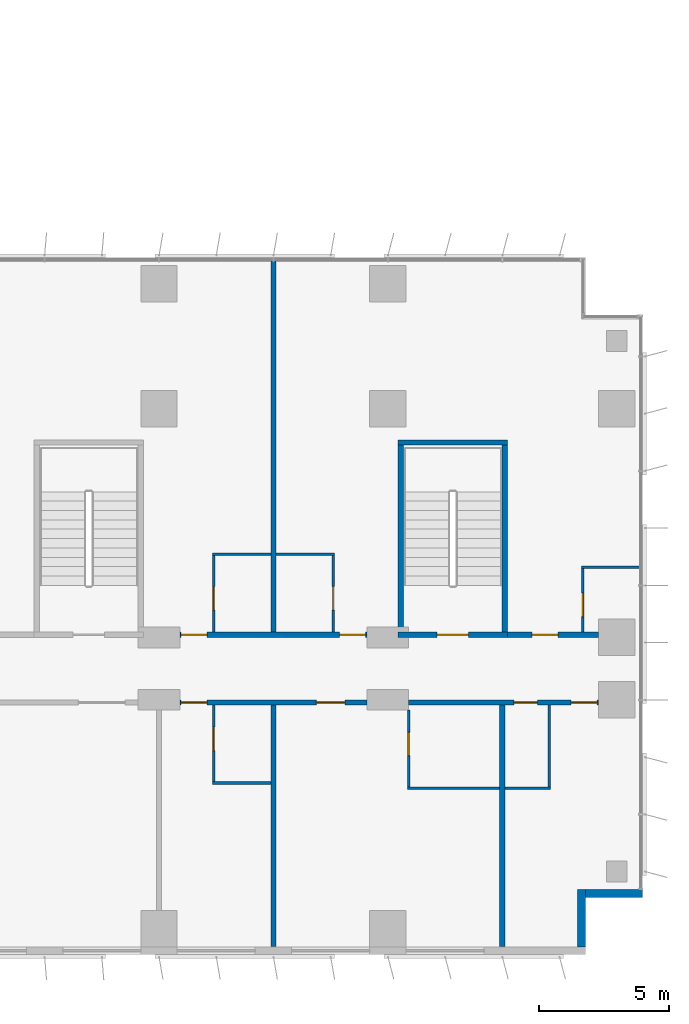
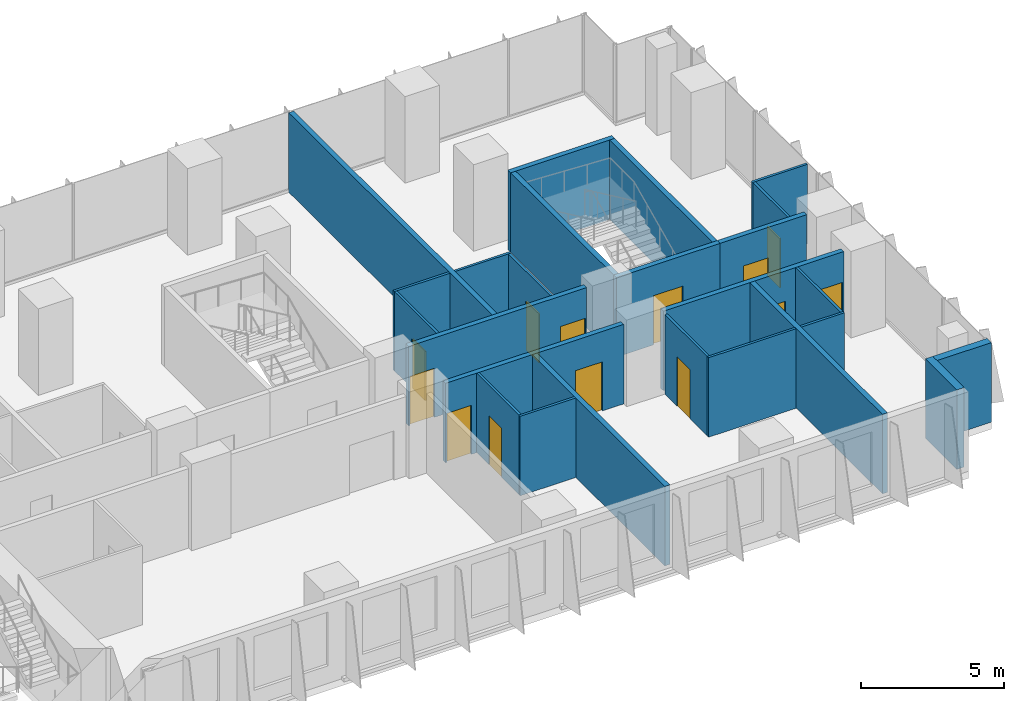
# One storey, part 18 of 24: 25 walls, 13 doors, 13 openings.
"""IFC4 building model written with IfcOpenShell, lengths in metres."""

from ifc_helpers import new_model, si_unit, direction, frame, frame_2d, origin, place, context, subcontext, project, spatial, rectangle, extrude, material, layer, layer_set, type_object, element, fill, save


model = new_model("IFC4")

# Units and contexts
model_context = context("Model", 3, precision=1e-05, world=origin(), true_north=direction((0.0, 1.0)))
body_context = subcontext(model_context, "Body", "Model", "MODEL_VIEW")
ifc_project = project(units=[si_unit("LENGTHUNIT", "METRE"), si_unit("AREAUNIT", "SQUARE_METRE"), si_unit("VOLUMEUNIT", "CUBIC_METRE"), si_unit("PLANEANGLEUNIT", "RADIAN"), si_unit("MASSUNIT", "GRAM", prefix="KILO")], contexts=[model_context])

# Site, building, storey
site_placement = place(None, origin())
site = spatial("IfcSite", under=ifc_project, at=site_placement, CompositionType="ELEMENT")
building_placement = place(site_placement, origin())
building = spatial("IfcBuilding", under=site, at=building_placement, Name="Kemantara Hotel Tower", CompositionType="ELEMENT")
storey_placement = place(building_placement, frame((0.0, 0.0, 63.60009765625)))
storey = spatial("IfcBuildingStorey", under=building, at=storey_placement, Name="L14", CompositionType="ELEMENT", Elevation=63.60009765625)

# Walls
ifc_material_1 = material(Name="Bronze anodised aluminium cladding on insulated steel stud wall", Category="steel")
ifc_layer_1 = layer(ifc_material_1, 0.300048828125)
ifc_layer_set_1 = layer_set([ifc_layer_1], Name="Bronze anodised aluminium cladding on insulated steel stud wall")
wall_type_1 = type_object("IfcWallType", Name="BRONZE METAL-CLAD EXTERNAL WALL 300", PredefinedType="STANDARD", material=ifc_layer_set_1)
for number, where, z_axis, x_axis, name in (
    (1, (78.85009765625, 0.300048828125, 0.0), (0.0, 0.0, 1.0), (0.0, 1.0, 0.0), "EXTERNAL WALL L14 T1-R02"),
    (2, (79.0, 2.35009765625, 0.0), (0.0, 0.0, 1.0), (1.0, 0.0, 0.0), "EXTERNAL WALL L14 T1-R03"),
):
    element("IfcWall", number, at=place(storey_placement, frame(where, z_axis=z_axis, x_axis=x_axis)), inside=storey, type_object=wall_type_1, Name=name, PredefinedType="STANDARD", context=body_context, shape_type="SweptSolid", body=[
        extrude(rectangle(XDim=2.199951171875, YDim=0.300048828125, at=frame_2d((1.10009765625, 0.0))), origin(), (0.0, 0.0, 1.0), 3.39990234375),
    ])

# Wall, openings, doors
ifc_material_2 = material(Name="Gypsum board partition, steel studs and mineral wool, 200 mm", Category="steel")
ifc_layer_2 = layer(ifc_material_2, 0.199951171875)
ifc_layer_set_2 = layer_set([ifc_layer_2], Name="Gypsum board partition, steel studs and mineral wool, 200 mm")
wall_type_2 = type_object("IfcWallType", Name="CORRIDOR WALL 200", PredefinedType="PARTITIONING", material=ifc_layer_set_2)
wall_1_placement = place(storey_placement, frame((70.599853515625, 9.699951171875, 0.0), z_axis=(0.0, 0.0, 1.0), x_axis=(-1.0, 0.0, 0.0)))
wall_1 = element("IfcWall", 3, at=wall_1_placement, inside=storey, type_object=wall_type_2, Name="CORRIDOR WALL 200 003", PredefinedType="PARTITIONING", context=body_context, shape_type="SweptSolid", body=[
    extrude(rectangle(XDim=7.19970703125, YDim=0.199951171875, at=frame_2d((3.599853515625, 0.0))), origin(), (0.0, 0.0, 1.0), 3.39990234375),
])
opening_1_placement = place(wall_1_placement, frame((6.14990234375, 0.0, 0.0)))
opening_1 = element("IfcOpeningElement", 4, at=opening_1_placement, cuts=wall_1, Name="Opening F05-003", PredefinedType="OPENING", context=body_context, shape_type="SweptSolid", body=[
    extrude(rectangle(XDim=1.0, YDim=2.10009765625, at=frame_2d((0.5, 1.050048828125))), frame((0.0, 0.10986328125, 0.0), z_axis=(0.0, -1.0, 0.0), x_axis=(1.0, 0.0, 0.0)), (0.0, 0.0, 1.0), 0.219970703125),
])
opening_2_placement = place(wall_1_placement, frame((0.849853515625, 0.0, 0.0)))
opening_2 = element("IfcOpeningElement", 5, at=opening_2_placement, cuts=wall_1, Name="Opening F05-005", PredefinedType="OPENING", context=body_context, shape_type="SweptSolid", body=[
    extrude(rectangle(XDim=1.10009765625, YDim=2.10009765625, at=frame_2d((0.550048828125, 1.050048828125))), frame((0.0, 0.10986328125, 0.0), z_axis=(0.0, -1.0, 0.0), x_axis=(1.0, 0.0, 0.0)), (0.0, 0.0, 1.0), 0.219970703125),
])
ifc_material_3 = material(Name="Hardwood veneer door leaf with steel frame", Category="steel")
door_type_1 = type_object("IfcDoorType", Name="GUEST ROOM DOOR 1000 X 2100 FD30S", OperationType="NOTDEFINED", PredefinedType="DOOR", material=ifc_material_3)
door_1_placement = place(opening_1_placement, origin())
door_1 = element("IfcDoor", 6, at=door_1_placement, inside=storey, type_object=door_type_1, Name="GUEST ROOM DOOR F05-003", OperationType="SINGLE_SWING_RIGHT", OverallHeight=2.10009765625, OverallWidth=1.0, PredefinedType="DOOR", context=body_context, shape_type="SweptSolid", body=[
    extrude(rectangle(XDim=1.0, YDim=2.10009765625, at=frame_2d((0.5, 1.050048828125))), frame((0.0, 0.02490234375, 0.0), z_axis=(0.0, -1.0, 0.0), x_axis=(1.0, 0.0, 0.0)), (0.0, 0.0, 1.0), 0.050048828125),
])
fill(opening_1, door_1)
door_type_2 = type_object("IfcDoorType", Name="SUITE ENTRANCE DOOR 1100 X 2100 FD30S", OperationType="NOTDEFINED", PredefinedType="DOOR", material=ifc_material_3)
door_2_placement = place(opening_2_placement, origin())
door_2 = element("IfcDoor", 7, at=door_2_placement, inside=storey, type_object=door_type_2, Name="SUITE ENTRANCE DOOR F05-005", OperationType="SINGLE_SWING_RIGHT", OverallHeight=2.10009765625, OverallWidth=1.10009765625, PredefinedType="DOOR", context=body_context, shape_type="SweptSolid", body=[
    extrude(rectangle(XDim=1.10009765625, YDim=2.10009765625, at=frame_2d((0.550048828125, 1.050048828125))), frame((0.0, 0.02490234375, 0.0), z_axis=(0.0, -1.0, 0.0), x_axis=(1.0, 0.0, 0.0)), (0.0, 0.0, 1.0), 0.050048828125),
])
fill(opening_2, door_2)

wall_2_placement = place(storey_placement, frame((79.5, 9.699951171875, 0.0), z_axis=(0.0, 0.0, 1.0), x_axis=(-1.0, 0.0, 0.0)))
wall_2 = element("IfcWall", 8, at=wall_2_placement, inside=storey, type_object=wall_type_2, Name="CORRIDOR WALL 200 004", PredefinedType="PARTITIONING", context=body_context, shape_type="SweptSolid", body=[
    extrude(rectangle(XDim=7.2998046875, YDim=0.199951171875, at=frame_2d((3.64990234375, 0.0))), origin(), (0.0, 0.0, 1.0), 3.39990234375),
])
opening_3_placement = place(wall_2_placement, frame((0.0498046875, 0.0, 0.0)))
opening_3 = element("IfcOpeningElement", 9, at=opening_3_placement, cuts=wall_2, Name="Opening F05-007", PredefinedType="OPENING", context=body_context, shape_type="SweptSolid", body=[
    extrude(rectangle(XDim=1.0, YDim=2.10009765625, at=frame_2d((0.5, 1.050048828125))), frame((0.0, 0.10986328125, 0.0), z_axis=(0.0, -1.0, 0.0), x_axis=(1.0, 0.0, 0.0)), (0.0, 0.0, 1.0), 0.219970703125),
])
opening_4_placement = place(wall_2_placement, frame((2.349853515625, 0.0, 0.0)))
opening_4 = element("IfcOpeningElement", 10, at=opening_4_placement, cuts=wall_2, Name="Opening F05-008", PredefinedType="OPENING", context=body_context, shape_type="SweptSolid", body=[
    extrude(rectangle(XDim=0.89990234375, YDim=2.10009765625, at=frame_2d((0.449951171875, 1.050048828125))), frame((0.0, 0.10986328125, 0.0), z_axis=(0.0, -1.0, 0.0), x_axis=(1.0, 0.0, 0.0)), (0.0, 0.0, 1.0), 0.219970703125),
])
door_type_3 = type_object("IfcDoorType", Name="AMENITY ROOM DOOR 1000 X 2100 FD30S", OperationType="NOTDEFINED", PredefinedType="DOOR", material=ifc_material_3)
door_3_placement = place(opening_3_placement, origin())
door_3 = element("IfcDoor", 11, at=door_3_placement, inside=storey, type_object=door_type_3, Name="AMENITY ROOM DOOR F05-007", OperationType="SINGLE_SWING_LEFT", OverallHeight=2.10009765625, OverallWidth=1.0, PredefinedType="DOOR", context=body_context, shape_type="SweptSolid", body=[
    extrude(rectangle(XDim=1.0, YDim=2.10009765625, at=frame_2d((0.5, 1.050048828125))), frame((0.0, 0.02490234375, 0.0), z_axis=(0.0, -1.0, 0.0), x_axis=(1.0, 0.0, 0.0)), (0.0, 0.0, 1.0), 0.050048828125),
])
fill(opening_3, door_3)
door_type_4 = type_object("IfcDoorType", Name="GUEST ROOM DOOR 900 X 2100 FD30S", OperationType="NOTDEFINED", PredefinedType="DOOR", material=ifc_material_3)
door_4_placement = place(opening_4_placement, origin())
door_4 = element("IfcDoor", 12, at=door_4_placement, inside=storey, type_object=door_type_4, Name="GUEST ROOM DOOR F05-008", OperationType="SINGLE_SWING_RIGHT", OverallHeight=2.10009765625, OverallWidth=0.89990234375, PredefinedType="DOOR", context=body_context, shape_type="SweptSolid", body=[
    extrude(rectangle(XDim=0.89990234375, YDim=2.10009765625, at=frame_2d((0.449951171875, 1.050048828125))), frame((0.0, 0.02490234375, 0.0), z_axis=(0.0, -1.0, 0.0), x_axis=(1.0, 0.0, 0.0)), (0.0, 0.0, 1.0), 0.050048828125),
])
fill(opening_4, door_4)

wall_3_placement = place(storey_placement, frame((63.400146484375, 12.300048828125, 0.0), z_axis=(0.0, 0.0, 1.0), x_axis=(1.0, 0.0, 0.0)))
wall_3 = element("IfcWall", 13, at=wall_3_placement, inside=storey, type_object=wall_type_2, Name="CORRIDOR WALL 200 014", PredefinedType="PARTITIONING", context=body_context, shape_type="SweptSolid", body=[
    extrude(rectangle(XDim=7.19970703125, YDim=0.199951171875, at=frame_2d((3.599853515625, 0.0))), origin(), (0.0, 0.0, 1.0), 3.39990234375),
])
opening_5_placement = place(wall_3_placement, frame((0.0498046875, 0.0, 0.0)))
opening_5 = element("IfcOpeningElement", 14, at=opening_5_placement, cuts=wall_3, Name="Opening F05-021", PredefinedType="OPENING", context=body_context, shape_type="SweptSolid", body=[
    extrude(rectangle(XDim=1.0, YDim=2.10009765625, at=frame_2d((0.5, 1.050048828125))), frame((0.0, 0.10986328125, 0.0), z_axis=(0.0, -1.0, 0.0), x_axis=(1.0, 0.0, 0.0)), (0.0, 0.0, 1.0), 0.219970703125),
])
opening_6_placement = place(wall_3_placement, frame((6.14990234375, 0.0, 0.0)))
opening_6 = element("IfcOpeningElement", 15, at=opening_6_placement, cuts=wall_3, Name="Opening F05-023", PredefinedType="OPENING", context=body_context, shape_type="SweptSolid", body=[
    extrude(rectangle(XDim=1.0, YDim=2.10009765625, at=frame_2d((0.5, 1.050048828125))), frame((0.0, 0.10986328125, 0.0), z_axis=(0.0, -1.0, 0.0), x_axis=(1.0, 0.0, 0.0)), (0.0, 0.0, 1.0), 0.219970703125),
])
door_5_placement = place(opening_5_placement, origin())
door_5 = element("IfcDoor", 16, at=door_5_placement, inside=storey, type_object=door_type_1, Name="GUEST ROOM DOOR F05-021", OperationType="SINGLE_SWING_LEFT", OverallHeight=2.10009765625, OverallWidth=1.0, PredefinedType="DOOR", context=body_context, shape_type="SweptSolid", body=[
    extrude(rectangle(XDim=1.0, YDim=2.10009765625, at=frame_2d((0.5, 1.050048828125))), frame((0.0, 0.02490234375, 0.0), z_axis=(0.0, -1.0, 0.0), x_axis=(1.0, 0.0, 0.0)), (0.0, 0.0, 1.0), 0.050048828125),
])
fill(opening_5, door_5)
door_6_placement = place(opening_6_placement, origin())
door_6 = element("IfcDoor", 17, at=door_6_placement, inside=storey, type_object=door_type_1, Name="GUEST ROOM DOOR F05-023", OperationType="SINGLE_SWING_RIGHT", OverallHeight=2.10009765625, OverallWidth=1.0, PredefinedType="DOOR", context=body_context, shape_type="SweptSolid", body=[
    extrude(rectangle(XDim=1.0, YDim=2.10009765625, at=frame_2d((0.5, 1.050048828125))), frame((0.0, 0.02490234375, 0.0), z_axis=(0.0, -1.0, 0.0), x_axis=(1.0, 0.0, 0.0)), (0.0, 0.0, 1.0), 0.050048828125),
])
fill(opening_6, door_6)

# Wall, opening, door
wall_4_placement = place(storey_placement, frame((76.0, 12.300048828125, 0.0), z_axis=(0.0, 0.0, 1.0), x_axis=(1.0, 0.0, 0.0)))
wall_4 = element("IfcWall", 18, at=wall_4_placement, inside=storey, type_object=wall_type_2, Name="CORRIDOR WALL 200 015", PredefinedType="PARTITIONING", context=body_context, shape_type="SweptSolid", body=[
    extrude(rectangle(XDim=3.5, YDim=0.199951171875, at=frame_2d((1.75, 0.0))), origin(), (0.0, 0.0, 1.0), 3.39990234375),
])
opening_7_placement = place(wall_4_placement, frame((0.949951171875, 0.0, 0.0)))
opening_7 = element("IfcOpeningElement", 19, at=opening_7_placement, cuts=wall_4, Name="Opening F05-025", PredefinedType="OPENING", context=body_context, shape_type="SweptSolid", body=[
    extrude(rectangle(XDim=1.0, YDim=2.10009765625, at=frame_2d((0.5, 1.050048828125))), frame((0.0, 0.10986328125, 0.0), z_axis=(0.0, -1.0, 0.0), x_axis=(1.0, 0.0, 0.0)), (0.0, 0.0, 1.0), 0.219970703125),
])
door_7_placement = place(opening_7_placement, origin())
door_7 = element("IfcDoor", 20, at=door_7_placement, inside=storey, type_object=door_type_1, Name="GUEST ROOM DOOR F05-025", OperationType="SINGLE_SWING_LEFT", OverallHeight=2.10009765625, OverallWidth=1.0, PredefinedType="DOOR", context=body_context, shape_type="SweptSolid", body=[
    extrude(rectangle(XDim=1.0, YDim=2.10009765625, at=frame_2d((0.5, 1.050048828125))), frame((0.0, 0.02490234375, 0.0), z_axis=(0.0, -1.0, 0.0), x_axis=(1.0, 0.0, 0.0)), (0.0, 0.0, 1.0), 0.050048828125),
])
fill(opening_7, door_7)

ifc_material_4 = material(Name="Concrete fc 40 MPa", Category="concrete")
ifc_layer_3 = layer(ifc_material_4, 0.199951171875)
ifc_layer_set_3 = layer_set([ifc_layer_3], Name="Concrete fc 40 MPa")
wall_type_3 = type_object("IfcWallType", Name="Concrete stair wall 200 mm", PredefinedType="SHEAR", material=ifc_layer_set_3)
wall_5_placement = place(storey_placement, frame((71.800048828125, 12.300048828125, 0.0), z_axis=(0.0, 0.0, 1.0), x_axis=(1.0, 0.0, 0.0)))
wall_5 = element("IfcWall", 21, at=wall_5_placement, inside=storey, type_object=wall_type_3, Name="Stair ST5 enclosure wall with door", PredefinedType="SHEAR", context=body_context, shape_type="SweptSolid", body=[
    extrude(rectangle(XDim=4.199951171875, YDim=0.199951171875, at=frame_2d((2.10009765625, 0.0))), origin(), (0.0, 0.0, 1.0), 3.39990234375),
])
opening_8_placement = place(wall_5_placement, frame((1.5, 0.0, 0.0)))
opening_8 = element("IfcOpeningElement", 22, at=opening_8_placement, cuts=wall_5, Name="Opening ST5-C", PredefinedType="OPENING", context=body_context, shape_type="SweptSolid", body=[
    extrude(rectangle(XDim=1.199951171875, YDim=2.10009765625, at=frame_2d((0.60009765625, 1.050048828125))), frame((0.0, 0.10986328125, 0.0), z_axis=(0.0, -1.0, 0.0), x_axis=(1.0, 0.0, 0.0)), (0.0, 0.0, 1.0), 0.219970703125),
])
ifc_material_5 = material(Name="Steel fire door", Category="steel")
door_type_5 = type_object("IfcDoorType", Name="Fire door FD90 1200 x 2100", OperationType="NOTDEFINED", PredefinedType="DOOR", material=ifc_material_5)
door_8_placement = place(opening_8_placement, origin())
door_8 = element("IfcDoor", 23, at=door_8_placement, inside=storey, type_object=door_type_5, Name="Stair ST5 door", OperationType="SINGLE_SWING_RIGHT", OverallHeight=2.10009765625, OverallWidth=1.199951171875, PredefinedType="DOOR", context=body_context, shape_type="SweptSolid", body=[
    extrude(rectangle(XDim=1.199951171875, YDim=2.10009765625, at=frame_2d((0.60009765625, 1.050048828125))), frame((0.0, 0.02490234375, 0.0), z_axis=(0.0, -1.0, 0.0), x_axis=(1.0, 0.0, 0.0)), (0.0, 0.0, 1.0), 0.050048828125),
])
fill(opening_8, door_8)

# Walls
wall_6_placement = place(storey_placement, frame((71.800048828125, 19.699951171875, 0.0), z_axis=(0.0, 0.0, 1.0), x_axis=(1.0, 0.0, 0.0)))
element("IfcWall", 24, at=wall_6_placement, inside=storey, type_object=wall_type_3, Name="Stair ST5 enclosure wall N", PredefinedType="SHEAR", context=body_context, shape_type="SweptSolid", body=[
    extrude(rectangle(XDim=4.199951171875, YDim=0.199951171875, at=frame_2d((2.10009765625, 0.0))), origin(), (0.0, 0.0, 1.0), 3.39990234375),
])
for number, where, z_axis, x_axis, name in (
    (25, (71.89990234375, 12.39990234375, 0.0), (0.0, 0.0, 1.0), (0.0, 1.0, 0.0), "Stair ST5 enclosure wall W"),
    (26, (75.89990234375, 12.39990234375, 0.0), (0.0, 0.0, 1.0), (0.0, 1.0, 0.0), "Stair ST5 enclosure wall E"),
):
    element("IfcWall", number, at=place(storey_placement, frame(where, z_axis=z_axis, x_axis=x_axis)), inside=storey, type_object=wall_type_3, Name=name, PredefinedType="SHEAR", context=body_context, shape_type="SweptSolid", body=[
        extrude(rectangle(XDim=7.2001953125, YDim=0.199951171875, at=frame_2d((3.60009765625, 0.0))), origin(), (0.0, 0.0, 1.0), 3.39990234375),
    ])
ifc_layer_4 = layer(ifc_material_2, 0.199951171875)
ifc_layer_set_4 = layer_set([ifc_layer_4], Name="Gypsum board partition, steel studs and mineral wool, 200 mm")
wall_type_4 = type_object("IfcWallType", Name="GUEST ROOM PARTY WALL 200", PredefinedType="PARTITIONING", material=ifc_layer_set_4)
wall_7_placement = place(storey_placement, frame((67.0, 0.31005859375, 0.0), z_axis=(0.0, 0.0, 1.0), x_axis=(0.0, 1.0, 0.0)))
element("IfcWall", 27, at=wall_7_placement, inside=storey, type_object=wall_type_4, Name="GUEST ROOM PARTY WALL 200 006", PredefinedType="PARTITIONING", context=body_context, shape_type="SweptSolid", body=[
    extrude(rectangle(XDim=9.2900390625, YDim=0.199951171875, at=frame_2d((4.64501953125, 0.0))), origin(), (0.0, 0.0, 1.0), 3.39990234375),
])
wall_8_placement = place(storey_placement, frame((67.0, 12.39990234375, 0.0), z_axis=(0.0, 0.0, 1.0), x_axis=(0.0, 1.0, 0.0)))
element("IfcWall", 28, at=wall_8_placement, inside=storey, type_object=wall_type_4, Name="GUEST ROOM PARTY WALL 200 007", PredefinedType="PARTITIONING", context=body_context, shape_type="SweptSolid", body=[
    extrude(rectangle(XDim=14.27001953125, YDim=0.199951171875, at=frame_2d((7.135009765625, 0.0))), origin(), (0.0, 0.0, 1.0), 3.39990234375),
])
wall_9_placement = place(storey_placement, frame((75.800048828125, 0.31005859375, 0.0), z_axis=(0.0, 0.0, 1.0), x_axis=(0.0, 1.0, 0.0)))
element("IfcWall", 29, at=wall_9_placement, inside=storey, type_object=wall_type_4, Name="GUEST ROOM PARTY WALL 200 008", PredefinedType="PARTITIONING", context=body_context, shape_type="SweptSolid", body=[
    extrude(rectangle(XDim=9.2900390625, YDim=0.199951171875, at=frame_2d((4.64501953125, 0.0))), origin(), (0.0, 0.0, 1.0), 3.39990234375),
])
ifc_material_6 = material(Name="Gypsum board partition on steel studs, 100 mm", Category="steel")
ifc_layer_5 = layer(ifc_material_6, 0.10009765625)
ifc_layer_set_5 = layer_set([ifc_layer_5], Name="Gypsum board partition on steel studs, 100 mm")
wall_type_5 = type_object("IfcWallType", Name="ROOM PARTITION 100", PredefinedType="PARTITIONING", material=ifc_layer_set_5)
wall_10_placement = place(storey_placement, frame((72.14990234375, 6.39990234375, 0.0), z_axis=(0.0, 0.0, 1.0), x_axis=(1.0, 0.0, 0.0)))
element("IfcWall", 30, at=wall_10_placement, inside=storey, type_object=wall_type_5, Name="ROOM PARTITION 100 066", PredefinedType="PARTITIONING", context=body_context, shape_type="SweptSolid", body=[
    extrude(rectangle(XDim=3.550048828125, YDim=0.10009765625, at=frame_2d((1.77490234375, 0.0))), origin(), (0.0, 0.0, 1.0), 3.39990234375),
])
wall_11_placement = place(storey_placement, frame((75.89990234375, 6.39990234375, 0.0), z_axis=(0.0, 0.0, 1.0), x_axis=(1.0, 0.0, 0.0)))
element("IfcWall", 31, at=wall_11_placement, inside=storey, type_object=wall_type_5, Name="ROOM PARTITION 100 067", PredefinedType="PARTITIONING", context=body_context, shape_type="SweptSolid", body=[
    extrude(rectangle(XDim=1.75, YDim=0.10009765625, at=frame_2d((0.875, 0.0))), origin(), (0.0, 0.0, 1.0), 3.39990234375),
])
wall_12_placement = place(storey_placement, frame((64.64990234375, 6.60009765625, 0.0), z_axis=(0.0, 0.0, 1.0), x_axis=(1.0, 0.0, 0.0)))
element("IfcWall", 32, at=wall_12_placement, inside=storey, type_object=wall_type_5, Name="ROOM PARTITION 100 069", PredefinedType="PARTITIONING", context=body_context, shape_type="SweptSolid", body=[
    extrude(rectangle(XDim=2.25, YDim=0.10009765625, at=frame_2d((1.125, 0.0))), origin(), (0.0, 0.0, 1.0), 3.39990234375),
])

# Wall, opening, door
wall_13_placement = place(storey_placement, frame((64.699951171875, 9.60009765625, 0.0), z_axis=(0.0, 0.0, 1.0), x_axis=(0.0, -1.0, 0.0)))
wall_13 = element("IfcWall", 33, at=wall_13_placement, inside=storey, type_object=wall_type_5, Name="ROOM PARTITION 100 070", PredefinedType="PARTITIONING", context=body_context, shape_type="SweptSolid", body=[
    extrude(rectangle(XDim=2.9501953125, YDim=0.10009765625, at=frame_2d((1.47509765625, 0.0))), origin(), (0.0, 0.0, 1.0), 3.39990234375),
])
opening_9_placement = place(wall_13_placement, frame((0.85009765625, 0.0, 0.0)))
opening_9 = element("IfcOpeningElement", 34, at=opening_9_placement, cuts=wall_13, Name="Opening F05-004", PredefinedType="OPENING", context=body_context, shape_type="SweptSolid", body=[
    extrude(rectangle(XDim=0.89990234375, YDim=2.10009765625, at=frame_2d((0.449951171875, 1.050048828125))), frame((0.0, 0.06005859375, 0.0), z_axis=(0.0, -1.0, 0.0), x_axis=(1.0, 0.0, 0.0)), (0.0, 0.0, 1.0), 0.1201171875),
])
door_type_6 = type_object("IfcDoorType", Name="BATHROOM DOOR 900 X 2100", OperationType="NOTDEFINED", PredefinedType="DOOR", material=ifc_material_3)
door_9_placement = place(opening_9_placement, origin())
door_9 = element("IfcDoor", 35, at=door_9_placement, inside=storey, type_object=door_type_6, Name="BATHROOM DOOR F05-004", OperationType="SINGLE_SWING_LEFT", OverallHeight=2.10009765625, OverallWidth=0.89990234375, PredefinedType="DOOR", context=body_context, shape_type="SweptSolid", body=[
    extrude(rectangle(XDim=0.89990234375, YDim=2.10009765625, at=frame_2d((0.449951171875, 1.050048828125))), frame((0.0, 0.02490234375, 0.0), z_axis=(0.0, -1.0, 0.0), x_axis=(1.0, 0.0, 0.0)), (0.0, 0.0, 1.0), 0.050048828125),
])
fill(opening_9, door_9)

wall_14_placement = place(storey_placement, frame((64.699951171875, 15.35009765625, 0.0), z_axis=(0.0, 0.0, 1.0), x_axis=(0.0, -1.0, 0.0)))
wall_14 = element("IfcWall", 36, at=wall_14_placement, inside=storey, type_object=wall_type_5, Name="ROOM PARTITION 100 071", PredefinedType="PARTITIONING", context=body_context, shape_type="SweptSolid", body=[
    extrude(rectangle(XDim=2.9501953125, YDim=0.10009765625, at=frame_2d((1.47509765625, 0.0))), origin(), (0.0, 0.0, 1.0), 3.39990234375),
])
opening_10_placement = place(wall_14_placement, frame((1.199951171875, 0.0, 0.0)))
opening_10 = element("IfcOpeningElement", 37, at=opening_10_placement, cuts=wall_14, Name="Opening F05-022", PredefinedType="OPENING", context=body_context, shape_type="SweptSolid", body=[
    extrude(rectangle(XDim=0.89990234375, YDim=2.10009765625, at=frame_2d((0.449951171875, 1.050048828125))), frame((0.0, 0.06005859375, 0.0), z_axis=(0.0, -1.0, 0.0), x_axis=(1.0, 0.0, 0.0)), (0.0, 0.0, 1.0), 0.1201171875),
])
door_10_placement = place(opening_10_placement, origin())
door_10 = element("IfcDoor", 38, at=door_10_placement, inside=storey, type_object=door_type_6, Name="BATHROOM DOOR F05-022", OperationType="SINGLE_SWING_RIGHT", OverallHeight=2.10009765625, OverallWidth=0.89990234375, PredefinedType="DOOR", context=body_context, shape_type="SweptSolid", body=[
    extrude(rectangle(XDim=0.89990234375, YDim=2.10009765625, at=frame_2d((0.449951171875, 1.050048828125))), frame((0.0, 0.02490234375, 0.0), z_axis=(0.0, -1.0, 0.0), x_axis=(1.0, 0.0, 0.0)), (0.0, 0.0, 1.0), 0.050048828125),
])
fill(opening_10, door_10)

wall_15_placement = place(storey_placement, frame((72.199951171875, 9.39990234375, 0.0), z_axis=(0.0, 0.0, 1.0), x_axis=(0.0, -1.0, 0.0)))
wall_15 = element("IfcWall", 39, at=wall_15_placement, inside=storey, type_object=wall_type_5, Name="ROOM PARTITION 100 072", PredefinedType="PARTITIONING", context=body_context, shape_type="SweptSolid", body=[
    extrude(rectangle(XDim=2.949951171875, YDim=0.10009765625, at=frame_2d((1.47509765625, 0.0))), origin(), (0.0, 0.0, 1.0), 3.39990234375),
])
opening_11_placement = place(wall_15_placement, frame((0.849853515625, 0.0, 0.0)))
opening_11 = element("IfcOpeningElement", 40, at=opening_11_placement, cuts=wall_15, Name="Opening F05-006", PredefinedType="OPENING", context=body_context, shape_type="SweptSolid", body=[
    extrude(rectangle(XDim=0.89990234375, YDim=2.10009765625, at=frame_2d((0.449951171875, 1.050048828125))), frame((0.0, 0.06005859375, 0.0), z_axis=(0.0, -1.0, 0.0), x_axis=(1.0, 0.0, 0.0)), (0.0, 0.0, 1.0), 0.1201171875),
])
door_11_placement = place(opening_11_placement, origin())
door_11 = element("IfcDoor", 41, at=door_11_placement, inside=storey, type_object=door_type_6, Name="BATHROOM DOOR F05-006", OperationType="SINGLE_SWING_LEFT", OverallHeight=2.10009765625, OverallWidth=0.89990234375, PredefinedType="DOOR", context=body_context, shape_type="SweptSolid", body=[
    extrude(rectangle(XDim=0.89990234375, YDim=2.10009765625, at=frame_2d((0.449951171875, 1.050048828125))), frame((0.0, 0.02490234375, 0.0), z_axis=(0.0, -1.0, 0.0), x_axis=(1.0, 0.0, 0.0)), (0.0, 0.0, 1.0), 0.050048828125),
])
fill(opening_11, door_11)

# Walls
wall_16_placement = place(storey_placement, frame((77.60009765625, 6.449951171875, 0.0), z_axis=(0.0, 0.0, 1.0), x_axis=(0.0, 1.0, 0.0)))
element("IfcWall", 42, at=wall_16_placement, inside=storey, type_object=wall_type_5, Name="ROOM PARTITION 100 073", PredefinedType="PARTITIONING", context=body_context, shape_type="SweptSolid", body=[
    extrude(rectangle(XDim=3.150146484375, YDim=0.10009765625, at=frame_2d((1.5751953125, 0.0))), origin(), (0.0, 0.0, 1.0), 3.39990234375),
])
for number, where, z_axis, x_axis, name in (
    (43, (64.64990234375, 15.39990234375, 0.0), (0.0, 0.0, 1.0), (1.0, 0.0, 0.0), "ROOM PARTITION 100 081"),
    (44, (67.10009765625, 15.39990234375, 0.0), (0.0, 0.0, 1.0), (1.0, 0.0, 0.0), "ROOM PARTITION 100 082"),
):
    element("IfcWall", number, at=place(storey_placement, frame(where, z_axis=z_axis, x_axis=x_axis)), inside=storey, type_object=wall_type_5, Name=name, PredefinedType="PARTITIONING", context=body_context, shape_type="SweptSolid", body=[
        extrude(rectangle(XDim=2.25, YDim=0.10009765625, at=frame_2d((1.125, 0.0))), origin(), (0.0, 0.0, 1.0), 3.39990234375),
    ])

# Wall, opening, door
wall_17_placement = place(storey_placement, frame((69.300048828125, 12.39990234375, 0.0), z_axis=(0.0, 0.0, 1.0), x_axis=(0.0, 1.0, 0.0)))
wall_17 = element("IfcWall", 45, at=wall_17_placement, inside=storey, type_object=wall_type_5, Name="ROOM PARTITION 100 088", PredefinedType="PARTITIONING", context=body_context, shape_type="SweptSolid", body=[
    extrude(rectangle(XDim=2.9501953125, YDim=0.10009765625, at=frame_2d((1.47509765625, 0.0))), origin(), (0.0, 0.0, 1.0), 3.39990234375),
])
opening_12_placement = place(wall_17_placement, frame((0.85009765625, 0.0, 0.0)))
opening_12 = element("IfcOpeningElement", 46, at=opening_12_placement, cuts=wall_17, Name="Opening F05-024", PredefinedType="OPENING", context=body_context, shape_type="SweptSolid", body=[
    extrude(rectangle(XDim=0.89990234375, YDim=2.10009765625, at=frame_2d((0.449951171875, 1.050048828125))), frame((0.0, 0.06005859375, 0.0), z_axis=(0.0, -1.0, 0.0), x_axis=(1.0, 0.0, 0.0)), (0.0, 0.0, 1.0), 0.1201171875),
])
door_12_placement = place(opening_12_placement, origin())
door_12 = element("IfcDoor", 47, at=door_12_placement, inside=storey, type_object=door_type_6, Name="BATHROOM DOOR F05-024", OperationType="SINGLE_SWING_LEFT", OverallHeight=2.10009765625, OverallWidth=0.89990234375, PredefinedType="DOOR", context=body_context, shape_type="SweptSolid", body=[
    extrude(rectangle(XDim=0.89990234375, YDim=2.10009765625, at=frame_2d((0.449951171875, 1.050048828125))), frame((0.0, 0.02490234375, 0.0), z_axis=(0.0, -1.0, 0.0), x_axis=(1.0, 0.0, 0.0)), (0.0, 0.0, 1.0), 0.050048828125),
])
fill(opening_12, door_12)

# Wall
wall_18_placement = place(storey_placement, frame((78.85009765625, 14.89990234375, 0.0), z_axis=(0.0, 0.0, 1.0), x_axis=(1.0, 0.0, 0.0)))
element("IfcWall", 48, at=wall_18_placement, inside=storey, type_object=wall_type_5, Name="ROOM PARTITION 100 089", PredefinedType="PARTITIONING", context=body_context, shape_type="SweptSolid", body=[
    extrude(rectangle(XDim=2.219970703125, YDim=0.10009765625, at=frame_2d((1.10986328125, 0.0))), origin(), (0.0, 0.0, 1.0), 3.39990234375),
])

# Wall, opening, door
wall_19_placement = place(storey_placement, frame((78.89990234375, 14.85009765625, 0.0), z_axis=(0.0, 0.0, 1.0), x_axis=(0.0, -1.0, 0.0)))
wall_19 = element("IfcWall", 49, at=wall_19_placement, inside=storey, type_object=wall_type_5, Name="ROOM PARTITION 100 090", PredefinedType="PARTITIONING", context=body_context, shape_type="SweptSolid", body=[
    extrude(rectangle(XDim=2.4501953125, YDim=0.10009765625, at=frame_2d((1.22509765625, 0.0))), origin(), (0.0, 0.0, 1.0), 3.39990234375),
])
opening_13_placement = place(wall_19_placement, frame((0.949951171875, 0.0, 0.0)))
opening_13 = element("IfcOpeningElement", 50, at=opening_13_placement, cuts=wall_19, Name="Opening F05-026", PredefinedType="OPENING", context=body_context, shape_type="SweptSolid", body=[
    extrude(rectangle(XDim=0.89990234375, YDim=2.10009765625, at=frame_2d((0.449951171875, 1.050048828125))), frame((0.0, 0.06005859375, 0.0), z_axis=(0.0, -1.0, 0.0), x_axis=(1.0, 0.0, 0.0)), (0.0, 0.0, 1.0), 0.1201171875),
])
door_13_placement = place(opening_13_placement, origin())
door_13 = element("IfcDoor", 51, at=door_13_placement, inside=storey, type_object=door_type_6, Name="BATHROOM DOOR F05-026", OperationType="SINGLE_SWING_RIGHT", OverallHeight=2.10009765625, OverallWidth=0.89990234375, PredefinedType="DOOR", context=body_context, shape_type="SweptSolid", body=[
    extrude(rectangle(XDim=0.89990234375, YDim=2.10009765625, at=frame_2d((0.449951171875, 1.050048828125))), frame((0.0, 0.02490234375, 0.0), z_axis=(0.0, -1.0, 0.0), x_axis=(1.0, 0.0, 0.0)), (0.0, 0.0, 1.0), 0.050048828125),
])
fill(opening_13, door_13)

save(model, "model.ifc")
